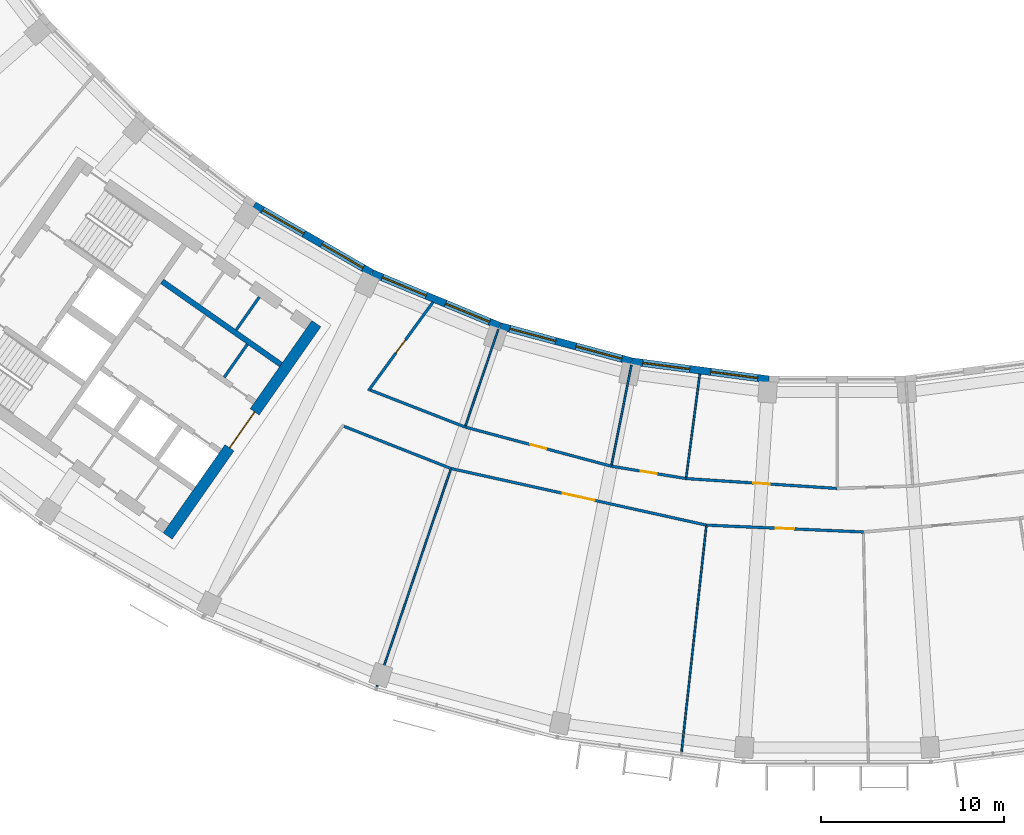
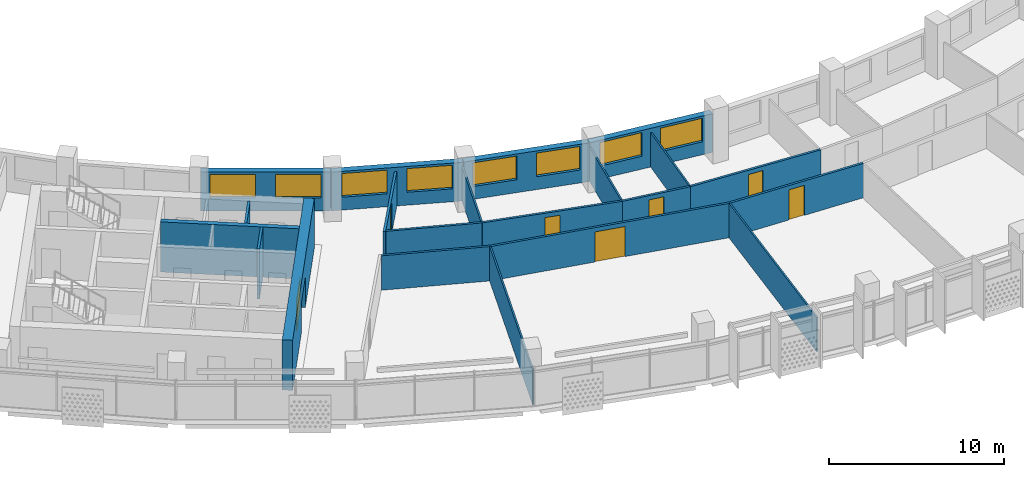
# One storey, part 4 of 27: 21 walls, 8 windows, 7 doors, 15 openings.
"""IFC4 building model written with IfcOpenShell, lengths in metres."""

from ifc_helpers import new_model, si_unit, direction, frame, frame_2d, origin, place, context, subcontext, project, spatial, rectangle, extrude, material, layer, layer_set, type_object, element, fill, save


model = new_model("IFC4")

# Units and contexts
model_context = context("Model", 3, precision=1e-05, world=origin(), true_north=direction((0.0, 1.0)))
body_context = subcontext(model_context, "Body", "Model", "MODEL_VIEW")
ifc_project = project(units=[si_unit("LENGTHUNIT", "METRE"), si_unit("AREAUNIT", "SQUARE_METRE"), si_unit("VOLUMEUNIT", "CUBIC_METRE"), si_unit("PLANEANGLEUNIT", "RADIAN"), si_unit("MASSUNIT", "GRAM", prefix="KILO")], contexts=[model_context])

# Site, building, storey
site_placement = place(None, origin())
site = spatial("IfcSite", under=ifc_project, at=site_placement, CompositionType="ELEMENT")
building_placement = place(site_placement, origin())
building = spatial("IfcBuilding", under=site, at=building_placement, Name="Qamariyya Broadcast Tower", CompositionType="ELEMENT")
storey_placement = place(building_placement, frame((0.0, 0.0, 222.699951171875)))
storey = spatial("IfcBuildingStorey", under=building, at=storey_placement, Name="L53", CompositionType="ELEMENT", Elevation=222.699951171875)

# Wall, opening, door
ifc_material_1 = material(Name="Concrete C60/75", Category="concrete")
ifc_layer_1 = layer(ifc_material_1, 0.60009765625)
ifc_layer_set_1 = layer_set([ifc_layer_1], Name="Core wall 600 mm Concrete C60/75")
wall_type_1 = type_object("IfcWallType", Name="Core wall 600 mm Concrete C60/75", PredefinedType="SHEAR", material=ifc_layer_set_1)
wall_1_placement = place(storey_placement, frame((-36.66748046875, -66.005126953125, 0.0), z_axis=(0.0, 0.0, 1.0), x_axis=(0.573568499524, 0.819157601658, 0.0)))
wall_1 = element("IfcWall", 1, at=wall_1_placement, inside=storey, type_object=wall_type_1, Name="k-W-L53-WA", PredefinedType="SHEAR", context=body_context, shape_type="SweptSolid", body=[
    extrude(rectangle(XDim=14.19970703125, YDim=0.60009765625, at=frame_2d((7.099853515625, 0.0))), origin(), (0.0, 0.0, 1.0), 3.5),
])
opening_1_placement = place(wall_1_placement, frame((5.89990234375, 0.0, 0.0)))
opening_1 = element("IfcOpeningElement", 2, at=opening_1_placement, cuts=wall_1, Name="Opening KD3-W1", PredefinedType="OPENING", context=body_context, shape_type="SweptSolid", body=[
    extrude(rectangle(XDim=2.39990234375, YDim=2.10009765625, at=frame_2d((1.199951171875, 1.050048828125))), frame((0.0, 0.31005859375, 0.0), z_axis=(0.0, -1.0, 0.0), x_axis=(1.0, 0.0, 0.0)), (0.0, 0.0, 1.0), 0.6201171875),
])
ifc_material_2 = material(Name="Steel fire-resisting door leaf", Category="steel")
door_type_1 = type_object("IfcDoorType", Name="Lift lobby door KD3", OperationType="DOUBLE_DOOR_SINGLE_SWING", PredefinedType="DOOR", material=ifc_material_2)
door_1_placement = place(opening_1_placement, origin())
door_1 = element("IfcDoor", 3, at=door_1_placement, inside=storey, type_object=door_type_1, Name="k-W-L53-WA-D1", OperationType="DOUBLE_DOOR_SINGLE_SWING", OverallHeight=2.10009765625, OverallWidth=2.39990234375, PredefinedType="DOOR", context=body_context, shape_type="SweptSolid", body=[
    extrude(rectangle(XDim=2.39990234375, YDim=2.10009765625, at=frame_2d((1.199951171875, 1.050048828125))), frame((0.0, 0.02490234375, 0.0), z_axis=(0.0, -1.0, 0.0), x_axis=(1.0, 0.0, 0.0)), (0.0, 0.0, 1.0), 0.050048828125),
])
fill(opening_1, door_1)

# Walls
ifc_material_3 = material(Name="Gypsum board partition")
ifc_layer_2 = layer(ifc_material_3, 0.14990234375)
ifc_layer_set_2 = layer_set([ifc_layer_2], Name="Corridor partition 150 EI 60")
wall_type_2 = type_object("IfcWallType", Name="Corridor partition 150 EI 60", PredefinedType="PARTITIONING", material=ifc_layer_set_2)
wall_2_placement = place(storey_placement, frame((-27.008056640625, -59.997802734375, 0.0), z_axis=(0.0, 0.0, 1.0), x_axis=(0.930254850636, -0.366914040162, 0.0)))
element("IfcWall", 4, at=wall_2_placement, inside=storey, type_object=wall_type_2, Name="Partition L53-003", PredefinedType="PARTITIONING", context=body_context, shape_type="SweptSolid", body=[
    extrude(rectangle(XDim=6.296630859375, YDim=0.14990234375, at=frame_2d((3.1484375, 0.0))), origin(), (0.0, 0.0, 1.0), 2.400146484375),
])
wall_3_placement = place(storey_placement, frame((-25.561767578125, -58.014892578125, 0.0), z_axis=(0.0, 0.0, 1.0), x_axis=(0.931697931841, -0.363234034479, 0.0)))
element("IfcWall", 5, at=wall_3_placement, inside=storey, type_object=wall_type_2, Name="Partition L53-004", PredefinedType="PARTITIONING", context=body_context, shape_type="SweptSolid", body=[
    extrude(rectangle(XDim=5.5625, YDim=0.14990234375, at=frame_2d((2.78125, 0.0))), origin(), (0.0, 0.0, 1.0), 2.400146484375),
])

# Wall, opening, door
wall_4_placement = place(storey_placement, frame((-22.135498046875, -53.1943359375, 0.0), z_axis=(0.0, 0.0, 1.0), x_axis=(-0.589297062476, -0.807916438846, 0.0)))
wall_4 = element("IfcWall", 6, at=wall_4_placement, inside=storey, type_object=wall_type_2, Name="Partition L53-006", PredefinedType="PARTITIONING", context=body_context, shape_type="SweptSolid", body=[
    extrude(rectangle(XDim=6.008056640625, YDim=0.14990234375, at=frame_2d((3.00390625, 0.0))), origin(), (0.0, 0.0, 1.0), 2.400146484375),
])
opening_2_placement = place(wall_4_placement, frame((2.553955078125, 0.0, 0.0)))
opening_2 = element("IfcOpeningElement", 7, at=opening_2_placement, cuts=wall_4, Name="Opening L53-D08", PredefinedType="OPENING", context=body_context, shape_type="SweptSolid", body=[
    extrude(rectangle(XDim=0.89990234375, YDim=2.10009765625, at=frame_2d((0.449951171875, 1.050048828125))), frame((0.0, 0.0849609375, 0.0), z_axis=(0.0, -1.0, 0.0), x_axis=(1.0, 0.0, 0.0)), (0.0, 0.0, 1.0), 0.169921875),
])
ifc_material_4 = material(Name="Timber fire door leaf", Category="wood")
door_type_2 = type_object("IfcDoorType", Name="Fire door 900 x 2100 FD60", OperationType="NOTDEFINED", PredefinedType="DOOR", material=ifc_material_4)
door_2_placement = place(opening_2_placement, origin())
door_2 = element("IfcDoor", 8, at=door_2_placement, inside=storey, type_object=door_type_2, Name="Door L53-D08", OperationType="SINGLE_SWING_RIGHT", OverallHeight=2.10009765625, OverallWidth=0.89990234375, PredefinedType="DOOR", context=body_context, shape_type="SweptSolid", body=[
    extrude(rectangle(XDim=0.89990234375, YDim=2.10009765625, at=frame_2d((0.449951171875, 1.050048828125))), frame((0.0, 0.02490234375, 0.0), z_axis=(0.0, -1.0, 0.0), x_axis=(1.0, 0.0, 0.0)), (0.0, 0.0, 1.0), 0.050048828125),
])
fill(opening_2, door_2)

wall_5_placement = place(storey_placement, frame((-7.16162109375, -65.4091796875, 0.0), z_axis=(0.0, 0.0, 1.0), x_axis=(-0.976299184302, 0.216425282099, 0.0)))
wall_5 = element("IfcWall", 9, at=wall_5_placement, inside=storey, type_object=wall_type_2, Name="Partition L53-007", PredefinedType="PARTITIONING", context=body_context, shape_type="SweptSolid", body=[
    extrude(rectangle(XDim=14.32861328125, YDim=0.14990234375, at=frame_2d((7.164306640625, 0.0))), origin(), (0.0, 0.0, 1.0), 2.400146484375),
])
opening_3_placement = place(wall_5_placement, frame((6.264404296875, 0.0, 0.0)))
opening_3 = element("IfcOpeningElement", 10, at=opening_3_placement, cuts=wall_5, Name="Opening L53-D02", PredefinedType="OPENING", context=body_context, shape_type="SweptSolid", body=[
    extrude(rectangle(XDim=1.800048828125, YDim=2.10009765625, at=frame_2d((0.89990234375, 1.050048828125))), frame((0.0, 0.0849609375, 0.0), z_axis=(0.0, -1.0, 0.0), x_axis=(1.0, 0.0, 0.0)), (0.0, 0.0, 1.0), 0.169921875),
])
door_type_3 = type_object("IfcDoorType", Name="Double fire door 1800 x 2100 FD60", OperationType="NOTDEFINED", PredefinedType="DOOR", material=ifc_material_4)
door_3_placement = place(opening_3_placement, origin())
door_3 = element("IfcDoor", 11, at=door_3_placement, inside=storey, type_object=door_type_3, Name="Door L53-D02", OperationType="DOUBLE_DOOR_SINGLE_SWING", OverallHeight=2.10009765625, OverallWidth=1.800048828125, PredefinedType="DOOR", context=body_context, shape_type="SweptSolid", body=[
    extrude(rectangle(XDim=1.800048828125, YDim=2.10009765625, at=frame_2d((0.89990234375, 1.050048828125))), frame((0.0, 0.02490234375, 0.0), z_axis=(0.0, -1.0, 0.0), x_axis=(1.0, 0.0, 0.0)), (0.0, 0.0, 1.0), 0.050048828125),
])
fill(opening_3, door_3)

wall_6_placement = place(storey_placement, frame((-20.379150390625, -60.035400390625, 0.0), z_axis=(0.0, 0.0, 1.0), x_axis=(0.965923478141, -0.258827808351, 0.0)))
wall_6 = element("IfcWall", 12, at=wall_6_placement, inside=storey, type_object=wall_type_2, Name="Partition L53-008", PredefinedType="PARTITIONING", context=body_context, shape_type="SweptSolid", body=[
    extrude(rectangle(XDim=8.293212890625, YDim=0.14990234375, at=frame_2d((4.146484375, 0.0))), origin(), (0.0, 0.0, 1.0), 2.400146484375),
])
opening_4_placement = place(wall_6_placement, frame((3.696533203125, 0.0, 0.0)))
opening_4 = element("IfcOpeningElement", 13, at=opening_4_placement, cuts=wall_6, Name="Opening L53-D09", PredefinedType="OPENING", context=body_context, shape_type="SweptSolid", body=[
    extrude(rectangle(XDim=0.89990234375, YDim=2.10009765625, at=frame_2d((0.449951171875, 1.050048828125))), frame((0.0, 0.0849609375, 0.0), z_axis=(0.0, -1.0, 0.0), x_axis=(1.0, 0.0, 0.0)), (0.0, 0.0, 1.0), 0.169921875),
])
door_4_placement = place(opening_4_placement, origin())
door_4 = element("IfcDoor", 14, at=door_4_placement, inside=storey, type_object=door_type_2, Name="Door L53-D09", OperationType="SINGLE_SWING_RIGHT", OverallHeight=2.10009765625, OverallWidth=0.89990234375, PredefinedType="DOOR", context=body_context, shape_type="SweptSolid", body=[
    extrude(rectangle(XDim=0.89990234375, YDim=2.10009765625, at=frame_2d((0.449951171875, 1.050048828125))), frame((0.0, 0.02490234375, 0.0), z_axis=(0.0, -1.0, 0.0), x_axis=(1.0, 0.0, 0.0)), (0.0, 0.0, 1.0), 0.050048828125),
])
fill(opening_4, door_4)

wall_7_placement = place(storey_placement, frame((-12.36865234375, -62.181884765625, 0.0), z_axis=(0.0, 0.0, 1.0), x_axis=(0.986644067936, -0.162891016345, 0.0)))
wall_7 = element("IfcWall", 15, at=wall_7_placement, inside=storey, type_object=wall_type_2, Name="Partition L53-010", PredefinedType="PARTITIONING", context=body_context, shape_type="SweptSolid", body=[
    extrude(rectangle(XDim=4.148681640625, YDim=0.14990234375, at=frame_2d((2.07421875, 0.0))), origin(), (0.0, 0.0, 1.0), 2.400146484375),
])
opening_5_placement = place(wall_7_placement, frame((1.62451171875, 0.0, 0.0)))
opening_5 = element("IfcOpeningElement", 16, at=opening_5_placement, cuts=wall_7, Name="Opening L53-D10", PredefinedType="OPENING", context=body_context, shape_type="SweptSolid", body=[
    extrude(rectangle(XDim=0.89990234375, YDim=2.10009765625, at=frame_2d((0.449951171875, 1.050048828125))), frame((0.0, 0.0849609375, 0.0), z_axis=(0.0, -1.0, 0.0), x_axis=(1.0, 0.0, 0.0)), (0.0, 0.0, 1.0), 0.169921875),
])
door_5_placement = place(opening_5_placement, origin())
door_5 = element("IfcDoor", 17, at=door_5_placement, inside=storey, type_object=door_type_2, Name="Door L53-D10", OperationType="SINGLE_SWING_RIGHT", OverallHeight=2.10009765625, OverallWidth=0.89990234375, PredefinedType="DOOR", context=body_context, shape_type="SweptSolid", body=[
    extrude(rectangle(XDim=0.89990234375, YDim=2.10009765625, at=frame_2d((0.449951171875, 1.050048828125))), frame((0.0, 0.02490234375, 0.0), z_axis=(0.0, -1.0, 0.0), x_axis=(1.0, 0.0, 0.0)), (0.0, 0.0, 1.0), 0.050048828125),
])
fill(opening_5, door_5)

wall_8_placement = place(storey_placement, frame((-8.275390625, -62.857666015625, 0.0), z_axis=(0.0, 0.0, 1.0), x_axis=(0.997860193426, -0.065383747038, 0.0)))
wall_8 = element("IfcWall", 18, at=wall_8_placement, inside=storey, type_object=wall_type_2, Name="Partition L53-013", PredefinedType="PARTITIONING", context=body_context, shape_type="SweptSolid", body=[
    extrude(rectangle(XDim=8.293212890625, YDim=0.14990234375, at=frame_2d((4.146484375, 0.0))), origin(), (0.0, 0.0, 1.0), 2.400146484375),
])
opening_6_placement = place(wall_8_placement, frame((3.696533203125, 0.0, 0.0)))
opening_6 = element("IfcOpeningElement", 19, at=opening_6_placement, cuts=wall_8, Name="Opening L53-D11", PredefinedType="OPENING", context=body_context, shape_type="SweptSolid", body=[
    extrude(rectangle(XDim=0.89990234375, YDim=2.10009765625, at=frame_2d((0.449951171875, 1.050048828125))), frame((0.0, 0.0849609375, 0.0), z_axis=(0.0, -1.0, 0.0), x_axis=(1.0, 0.0, 0.0)), (0.0, 0.0, 1.0), 0.169921875),
])
door_6_placement = place(opening_6_placement, origin())
door_6 = element("IfcDoor", 20, at=door_6_placement, inside=storey, type_object=door_type_2, Name="Door L53-D11", OperationType="SINGLE_SWING_RIGHT", OverallHeight=2.10009765625, OverallWidth=0.89990234375, PredefinedType="DOOR", context=body_context, shape_type="SweptSolid", body=[
    extrude(rectangle(XDim=0.89990234375, YDim=2.10009765625, at=frame_2d((0.449951171875, 1.050048828125))), frame((0.0, 0.02490234375, 0.0), z_axis=(0.0, -1.0, 0.0), x_axis=(1.0, 0.0, 0.0)), (0.0, 0.0, 1.0), 0.050048828125),
])
fill(opening_6, door_6)

wall_9_placement = place(storey_placement, frame((1.437255859375, -65.7841796875, 0.0), z_axis=(0.0, 0.0, 1.0), x_axis=(-0.999050423115, 0.043568934724, 0.0)))
wall_9 = element("IfcWall", 21, at=wall_9_placement, inside=storey, type_object=wall_type_2, Name="Partition L53-015", PredefinedType="PARTITIONING", context=body_context, shape_type="SweptSolid", body=[
    extrude(rectangle(XDim=8.60693359375, YDim=0.14990234375, at=frame_2d((4.303466796875, 0.0))), origin(), (0.0, 0.0, 1.0), 2.400146484375),
])
opening_7_placement = place(wall_9_placement, frame((3.803466796875, 0.0, 0.0)))
opening_7 = element("IfcOpeningElement", 22, at=opening_7_placement, cuts=wall_9, Name="Opening L53-D03", PredefinedType="OPENING", context=body_context, shape_type="SweptSolid", body=[
    extrude(rectangle(XDim=1.0, YDim=2.10009765625, at=frame_2d((0.5, 1.050048828125))), frame((0.0, 0.0849609375, 0.0), z_axis=(0.0, -1.0, 0.0), x_axis=(1.0, 0.0, 0.0)), (0.0, 0.0, 1.0), 0.169921875),
])
door_type_4 = type_object("IfcDoorType", Name="Fire door 1000 x 2100 FD60", OperationType="NOTDEFINED", PredefinedType="DOOR", material=ifc_material_4)
door_7_placement = place(opening_7_placement, origin())
door_7 = element("IfcDoor", 23, at=door_7_placement, inside=storey, type_object=door_type_4, Name="Door L53-D03", OperationType="SINGLE_SWING_RIGHT", OverallHeight=2.10009765625, OverallWidth=1.0, PredefinedType="DOOR", context=body_context, shape_type="SweptSolid", body=[
    extrude(rectangle(XDim=1.0, YDim=2.10009765625, at=frame_2d((0.5, 1.050048828125))), frame((0.0, 0.02490234375, 0.0), z_axis=(0.0, -1.0, 0.0), x_axis=(1.0, 0.0, 0.0)), (0.0, 0.0, 1.0), 0.050048828125),
])
fill(opening_7, door_7)

# Walls
ifc_material_5 = material(Name="Gypsum board partition on steel studs", Category="steel")
ifc_layer_3 = layer(ifc_material_5, 0.14990234375)
ifc_layer_set_3 = layer_set([ifc_layer_3], Name="Gypsum board partition 150 mm")
wall_type_3 = type_object("IfcWallType", Name="Gypsum board partition 150 mm", PredefinedType="PARTITIONING", material=ifc_layer_set_3)
wall_10_placement = place(storey_placement, frame((-33.569580078125, -57.3095703125, 0.0), z_axis=(0.0, 0.0, 1.0), x_axis=(0.573507030513, 0.819200638399, 0.0)))
element("IfcWall", 24, at=wall_10_placement, inside=storey, type_object=wall_type_3, Name="k-W-L53-NC215", PredefinedType="PARTITIONING", context=body_context, shape_type="SweptSolid", body=[
    extrude(rectangle(XDim=2.199951171875, YDim=0.14990234375, at=frame_2d((1.10009765625, 0.0))), origin(), (0.0, 0.0, 1.0), 3.5),
])
wall_11_placement = place(storey_placement, frame((-32.9140625, -54.716796875, 0.0), z_axis=(0.0, 0.0, 1.0), x_axis=(0.573581496053, 0.819148501424, 0.0)))
element("IfcWall", 25, at=wall_11_placement, inside=storey, type_object=wall_type_3, Name="k-W-L53-NP310", PredefinedType="PARTITIONING", context=body_context, shape_type="SweptSolid", body=[
    extrude(rectangle(XDim=2.2001953125, YDim=0.14990234375, at=frame_2d((1.10009765625, 0.0))), origin(), (0.0, 0.0, 1.0), 3.5),
])
ifc_layer_4 = layer(ifc_material_1, 0.300048828125)
ifc_layer_set_4 = layer_set([ifc_layer_4], Name="Lift shaft wall 300 mm Concrete C60/75")
wall_type_4 = type_object("IfcWallType", Name="Lift shaft wall 300 mm Concrete C60/75", PredefinedType="SOLIDWALL", material=ifc_layer_set_4)
wall_12_placement = place(storey_placement, frame((-30.460693359375, -56.61767578125, 0.0), z_axis=(0.0, 0.0, 1.0), x_axis=(-0.819142461705, 0.573590121456, 0.0)))
element("IfcWall", 26, at=wall_12_placement, inside=storey, type_object=wall_type_4, Name="k-W-L53-NB0", PredefinedType="SOLIDWALL", context=body_context, shape_type="SweptSolid", body=[
    extrude(rectangle(XDim=7.949951171875, YDim=0.300048828125, at=frame_2d((3.97509765625, 0.0))), origin(), (0.0, 0.0, 1.0), 3.5),
])
ifc_layer_5 = layer(ifc_material_3, 0.10009765625)
ifc_layer_set_5 = layer_set([ifc_layer_5], Name="Partition 100")
wall_type_5 = type_object("IfcWallType", Name="Partition 100", PredefinedType="PARTITIONING", material=ifc_layer_set_5)
wall_13_placement = place(storey_placement, frame((-25.217041015625, -74.28662109375, 0.0), z_axis=(0.0, 0.0, 1.0), x_axis=(0.321447438057, 0.946927423072, 0.0)))
element("IfcWall", 27, at=wall_13_placement, inside=storey, type_object=wall_type_5, Name="Partition L53-005", PredefinedType="PARTITIONING", context=body_context, shape_type="SweptSolid", body=[
    extrude(rectangle(XDim=12.5751953125, YDim=0.10009765625, at=frame_2d((6.28759765625, 0.0))), origin(), (0.0, 0.0, 1.0), 2.400146484375),
])
for number, where, z_axis, x_axis, name in (
    (28, (-18.563232421875, -54.685302734375, 0.0), (0.0, 0.0, 1.0), (-0.321438701958, -0.946930388616, 0.0), "Partition L53-009"),
    (29, (-11.266357421875, -56.640380859375, 0.0), (0.0, 0.0, 1.0), (-0.195097004053, -0.98078395124, 0.0), "Partition L53-011"),
):
    element("IfcWall", number, at=place(storey_placement, frame(where, z_axis=z_axis, x_axis=x_axis)), inside=storey, type_object=wall_type_5, Name=name, PredefinedType="PARTITIONING", context=body_context, shape_type="SweptSolid", body=[
        extrude(rectangle(XDim=5.574951171875, YDim=0.10009765625, at=frame_2d((2.78759765625, 0.0))), origin(), (0.0, 0.0, 1.0), 2.400146484375),
    ])
wall_14_placement = place(storey_placement, frame((-8.522216796875, -77.835205078125, 0.0), z_axis=(0.0, 0.0, 1.0), x_axis=(0.108852796, 0.994057880006, 0.0)))
element("IfcWall", 30, at=wall_14_placement, inside=storey, type_object=wall_type_5, Name="Partition L53-012", PredefinedType="PARTITIONING", context=body_context, shape_type="SweptSolid", body=[
    extrude(rectangle(XDim=12.42529296875, YDim=0.10009765625, at=frame_2d((6.212646484375, 0.0))), origin(), (0.0, 0.0, 1.0), 2.400146484375),
])
wall_15_placement = place(storey_placement, frame((-7.52197265625, -57.13427734375, 0.0), z_axis=(0.0, 0.0, 1.0), x_axis=(-0.130518800749, -0.991445834451, 0.0)))
element("IfcWall", 31, at=wall_15_placement, inside=storey, type_object=wall_type_5, Name="Partition L53-014", PredefinedType="PARTITIONING", context=body_context, shape_type="SweptSolid", body=[
    extrude(rectangle(XDim=5.69775390625, YDim=0.10009765625, at=frame_2d((2.848876953125, 0.0))), origin(), (0.0, 0.0, 1.0), 2.400146484375),
])

# Wall, openings, windows
ifc_material_6 = material(Name="Terracotta", Category="masonry")
ifc_layer_6 = layer(ifc_material_6, 0.39990234375)
ifc_layer_set_6 = layer_set([ifc_layer_6], Name="Terracotta clad wall 400")
wall_type_6 = type_object("IfcWallType", Name="Terracotta clad wall 400", PredefinedType="SOLIDWALL", material=ifc_layer_set_6)
wall_16_placement = place(storey_placement, frame((-25.497802734375, -51.590087890625, 0.0), z_axis=(0.0, 0.0, 1.0), x_axis=(-0.866021353871, 0.500007014591, 0.0)))
wall_16 = element("IfcWall", 32, at=wall_16_placement, inside=storey, type_object=wall_type_6, Name="e-wl-L53-in40", PredefinedType="SOLIDWALL", context=body_context, shape_type="SweptSolid", body=[
    extrude(rectangle(XDim=7.4267578125, YDim=0.39990234375, at=frame_2d((3.71337890625, 0.0))), origin(), (0.0, 0.0, 1.0), 2.699951171875),
])
opening_8_placement = place(wall_16_placement, frame((4.28857421875, 0.0, 0.89990234375)))
opening_8 = element("IfcOpeningElement", 33, at=opening_8_placement, cuts=wall_16, Name="Opening W1", PredefinedType="OPENING", context=body_context, shape_type="SweptSolid", body=[
    extrude(rectangle(XDim=2.60009765625, YDim=1.64990234375, at=frame_2d((1.300048828125, 0.824951171875))), frame((0.0, 0.2099609375, 0.0), z_axis=(0.0, -1.0, 0.0), x_axis=(1.0, 0.0, 0.0)), (0.0, 0.0, 1.0), 0.419921875),
])
opening_9_placement = place(wall_16_placement, frame((0.537841796875, 0.0, 0.89990234375)))
opening_9 = element("IfcOpeningElement", 34, at=opening_9_placement, cuts=wall_16, Name="Opening W1", PredefinedType="OPENING", context=body_context, shape_type="SweptSolid", body=[
    extrude(rectangle(XDim=2.60009765625, YDim=1.64990234375, at=frame_2d((1.300048828125, 0.824951171875))), frame((0.0, 0.2099609375, 0.0), z_axis=(0.0, -1.0, 0.0), x_axis=(1.0, 0.0, 0.0)), (0.0, 0.0, 1.0), 0.419921875),
])
ifc_material_7 = material(Name="Clear low-e double glazed unit in aluminium frame", Category="aluminium")
window_type = type_object("IfcWindowType", Name="Ribbon window 2600 x 1650", PartitioningType="SINGLE_PANEL", PredefinedType="WINDOW", material=ifc_material_7)
window_1_placement = place(opening_8_placement, origin())
window_1 = element("IfcWindow", 35, at=window_1_placement, inside=storey, type_object=window_type, Name="e-w-L53-in04-0", OverallHeight=1.64990234375, OverallWidth=2.60009765625, PartitioningType="SINGLE_PANEL", PredefinedType="WINDOW", context=body_context, shape_type="SweptSolid", body=[
    extrude(rectangle(XDim=2.60009765625, YDim=1.64990234375, at=frame_2d((1.300048828125, 0.824951171875))), frame((0.0, 0.030029296875, 0.0), z_axis=(0.0, -1.0, 0.0), x_axis=(1.0, 0.0, 0.0)), (0.0, 0.0, 1.0), 0.06005859375),
])
fill(opening_8, window_1)
window_2_placement = place(opening_9_placement, origin())
window_2 = element("IfcWindow", 36, at=window_2_placement, inside=storey, type_object=window_type, Name="e-w-L53-in04-1", OverallHeight=1.64990234375, OverallWidth=2.60009765625, PartitioningType="SINGLE_PANEL", PredefinedType="WINDOW", context=body_context, shape_type="SweptSolid", body=[
    extrude(rectangle(XDim=2.60009765625, YDim=1.64990234375, at=frame_2d((1.300048828125, 0.824951171875))), frame((0.0, 0.030029296875, 0.0), z_axis=(0.0, -1.0, 0.0), x_axis=(1.0, 0.0, 0.0)), (0.0, 0.0, 1.0), 0.06005859375),
])
fill(opening_9, window_2)

wall_17_placement = place(storey_placement, frame((-18.475830078125, -54.505859375, 0.0), z_axis=(0.0, 0.0, 1.0), x_axis=(-0.923884115122, 0.382672368777, 0.0)))
wall_17 = element("IfcWall", 37, at=wall_17_placement, inside=storey, type_object=wall_type_6, Name="e-wl-L53-in50", PredefinedType="SOLIDWALL", context=body_context, shape_type="SweptSolid", body=[
    extrude(rectangle(XDim=7.578125, YDim=0.39990234375, at=frame_2d((3.7890625, 0.0))), origin(), (0.0, 0.0, 1.0), 2.699951171875),
])
opening_10_placement = place(wall_17_placement, frame((4.364501953125, 0.0, 0.89990234375)))
opening_10 = element("IfcOpeningElement", 38, at=opening_10_placement, cuts=wall_17, Name="Opening W1", PredefinedType="OPENING", context=body_context, shape_type="SweptSolid", body=[
    extrude(rectangle(XDim=2.60009765625, YDim=1.64990234375, at=frame_2d((1.300048828125, 0.824951171875))), frame((0.0, 0.2099609375, 0.0), z_axis=(0.0, -1.0, 0.0), x_axis=(1.0, 0.0, 0.0)), (0.0, 0.0, 1.0), 0.419921875),
])
opening_11_placement = place(wall_17_placement, frame((0.613525390625, 0.0, 0.89990234375)))
opening_11 = element("IfcOpeningElement", 39, at=opening_11_placement, cuts=wall_17, Name="Opening W1", PredefinedType="OPENING", context=body_context, shape_type="SweptSolid", body=[
    extrude(rectangle(XDim=2.60009765625, YDim=1.64990234375, at=frame_2d((1.300048828125, 0.824951171875))), frame((0.0, 0.2099609375, 0.0), z_axis=(0.0, -1.0, 0.0), x_axis=(1.0, 0.0, 0.0)), (0.0, 0.0, 1.0), 0.419921875),
])
window_3_placement = place(opening_10_placement, origin())
window_3 = element("IfcWindow", 40, at=window_3_placement, inside=storey, type_object=window_type, Name="e-w-L53-in05-0", OverallHeight=1.64990234375, OverallWidth=2.60009765625, PartitioningType="SINGLE_PANEL", PredefinedType="WINDOW", context=body_context, shape_type="SweptSolid", body=[
    extrude(rectangle(XDim=2.60009765625, YDim=1.64990234375, at=frame_2d((1.300048828125, 0.824951171875))), frame((0.0, 0.030029296875, 0.0), z_axis=(0.0, -1.0, 0.0), x_axis=(1.0, 0.0, 0.0)), (0.0, 0.0, 1.0), 0.06005859375),
])
fill(opening_10, window_3)
window_4_placement = place(opening_11_placement, origin())
window_4 = element("IfcWindow", 41, at=window_4_placement, inside=storey, type_object=window_type, Name="e-w-L53-in05-1", OverallHeight=1.64990234375, OverallWidth=2.60009765625, PartitioningType="SINGLE_PANEL", PredefinedType="WINDOW", context=body_context, shape_type="SweptSolid", body=[
    extrude(rectangle(XDim=2.60009765625, YDim=1.64990234375, at=frame_2d((1.300048828125, 0.824951171875))), frame((0.0, 0.030029296875, 0.0), z_axis=(0.0, -1.0, 0.0), x_axis=(1.0, 0.0, 0.0)), (0.0, 0.0, 1.0), 0.06005859375),
])
fill(opening_11, window_4)

wall_18_placement = place(storey_placement, frame((-11.276611328125, -56.431396484375, 0.0), z_axis=(0.0, 0.0, 1.0), x_axis=(-0.965924866111, 0.25882262851, 0.0)))
wall_18 = element("IfcWall", 42, at=wall_18_placement, inside=storey, type_object=wall_type_6, Name="e-wl-L53-in60", PredefinedType="SOLIDWALL", context=body_context, shape_type="SweptSolid", body=[
    extrude(rectangle(XDim=7.426513671875, YDim=0.39990234375, at=frame_2d((3.71337890625, 0.0))), origin(), (0.0, 0.0, 1.0), 2.699951171875),
])
opening_12_placement = place(wall_18_placement, frame((4.28857421875, 0.0, 0.89990234375)))
opening_12 = element("IfcOpeningElement", 43, at=opening_12_placement, cuts=wall_18, Name="Opening W1", PredefinedType="OPENING", context=body_context, shape_type="SweptSolid", body=[
    extrude(rectangle(XDim=2.60009765625, YDim=1.64990234375, at=frame_2d((1.300048828125, 0.824951171875))), frame((0.0, 0.2099609375, 0.0), z_axis=(0.0, -1.0, 0.0), x_axis=(1.0, 0.0, 0.0)), (0.0, 0.0, 1.0), 0.419921875),
])
opening_13_placement = place(wall_18_placement, frame((0.537841796875, 0.0, 0.89990234375)))
opening_13 = element("IfcOpeningElement", 44, at=opening_13_placement, cuts=wall_18, Name="Opening W1", PredefinedType="OPENING", context=body_context, shape_type="SweptSolid", body=[
    extrude(rectangle(XDim=2.60009765625, YDim=1.64990234375, at=frame_2d((1.300048828125, 0.824951171875))), frame((0.0, 0.2099609375, 0.0), z_axis=(0.0, -1.0, 0.0), x_axis=(1.0, 0.0, 0.0)), (0.0, 0.0, 1.0), 0.419921875),
])
window_5_placement = place(opening_12_placement, origin())
window_5 = element("IfcWindow", 45, at=window_5_placement, inside=storey, type_object=window_type, Name="e-w-L53-in06-0", OverallHeight=1.64990234375, OverallWidth=2.60009765625, PartitioningType="SINGLE_PANEL", PredefinedType="WINDOW", context=body_context, shape_type="SweptSolid", body=[
    extrude(rectangle(XDim=2.60009765625, YDim=1.64990234375, at=frame_2d((1.300048828125, 0.824951171875))), frame((0.0, 0.030029296875, 0.0), z_axis=(0.0, -1.0, 0.0), x_axis=(1.0, 0.0, 0.0)), (0.0, 0.0, 1.0), 0.06005859375),
])
fill(opening_12, window_5)
window_6_placement = place(opening_13_placement, origin())
window_6 = element("IfcWindow", 46, at=window_6_placement, inside=storey, type_object=window_type, Name="e-w-L53-in06-1", OverallHeight=1.64990234375, OverallWidth=2.60009765625, PartitioningType="SINGLE_PANEL", PredefinedType="WINDOW", context=body_context, shape_type="SweptSolid", body=[
    extrude(rectangle(XDim=2.60009765625, YDim=1.64990234375, at=frame_2d((1.300048828125, 0.824951171875))), frame((0.0, 0.030029296875, 0.0), z_axis=(0.0, -1.0, 0.0), x_axis=(1.0, 0.0, 0.0)), (0.0, 0.0, 1.0), 0.06005859375),
])
fill(opening_13, window_6)

wall_19_placement = place(storey_placement, frame((-3.7392578125, -57.430419921875, 0.0), z_axis=(0.0, 0.0, 1.0), x_axis=(-0.991446288508, 0.130515351599, 0.0)))
wall_19 = element("IfcWall", 47, at=wall_19_placement, inside=storey, type_object=wall_type_6, Name="e-wl-L53-in70", PredefinedType="SOLIDWALL", context=body_context, shape_type="SweptSolid", body=[
    extrude(rectangle(XDim=7.57763671875, YDim=0.39990234375, at=frame_2d((3.788818359375, 0.0))), origin(), (0.0, 0.0, 1.0), 2.699951171875),
])
opening_14_placement = place(wall_19_placement, frame((4.364501953125, 0.0, 0.89990234375)))
opening_14 = element("IfcOpeningElement", 48, at=opening_14_placement, cuts=wall_19, Name="Opening W1", PredefinedType="OPENING", context=body_context, shape_type="SweptSolid", body=[
    extrude(rectangle(XDim=2.60009765625, YDim=1.64990234375, at=frame_2d((1.300048828125, 0.824951171875))), frame((0.0, 0.2099609375, 0.0), z_axis=(0.0, -1.0, 0.0), x_axis=(1.0, 0.0, 0.0)), (0.0, 0.0, 1.0), 0.419921875),
])
opening_15_placement = place(wall_19_placement, frame((0.613525390625, 0.0, 0.89990234375)))
opening_15 = element("IfcOpeningElement", 49, at=opening_15_placement, cuts=wall_19, Name="Opening W1", PredefinedType="OPENING", context=body_context, shape_type="SweptSolid", body=[
    extrude(rectangle(XDim=2.60009765625, YDim=1.64990234375, at=frame_2d((1.300048828125, 0.824951171875))), frame((0.0, 0.2099609375, 0.0), z_axis=(0.0, -1.0, 0.0), x_axis=(1.0, 0.0, 0.0)), (0.0, 0.0, 1.0), 0.419921875),
])
window_7_placement = place(opening_14_placement, origin())
window_7 = element("IfcWindow", 50, at=window_7_placement, inside=storey, type_object=window_type, Name="e-w-L53-in07-0", OverallHeight=1.64990234375, OverallWidth=2.60009765625, PartitioningType="SINGLE_PANEL", PredefinedType="WINDOW", context=body_context, shape_type="SweptSolid", body=[
    extrude(rectangle(XDim=2.60009765625, YDim=1.64990234375, at=frame_2d((1.300048828125, 0.824951171875))), frame((0.0, 0.030029296875, 0.0), z_axis=(0.0, -1.0, 0.0), x_axis=(1.0, 0.0, 0.0)), (0.0, 0.0, 1.0), 0.06005859375),
])
fill(opening_14, window_7)
window_8_placement = place(opening_15_placement, origin())
window_8 = element("IfcWindow", 51, at=window_8_placement, inside=storey, type_object=window_type, Name="e-w-L53-in07-1", OverallHeight=1.64990234375, OverallWidth=2.60009765625, PartitioningType="SINGLE_PANEL", PredefinedType="WINDOW", context=body_context, shape_type="SweptSolid", body=[
    extrude(rectangle(XDim=2.60009765625, YDim=1.64990234375, at=frame_2d((1.300048828125, 0.824951171875))), frame((0.0, 0.030029296875, 0.0), z_axis=(0.0, -1.0, 0.0), x_axis=(1.0, 0.0, 0.0)), (0.0, 0.0, 1.0), 0.06005859375),
])
fill(opening_15, window_8)

save(model, "model.ifc")
